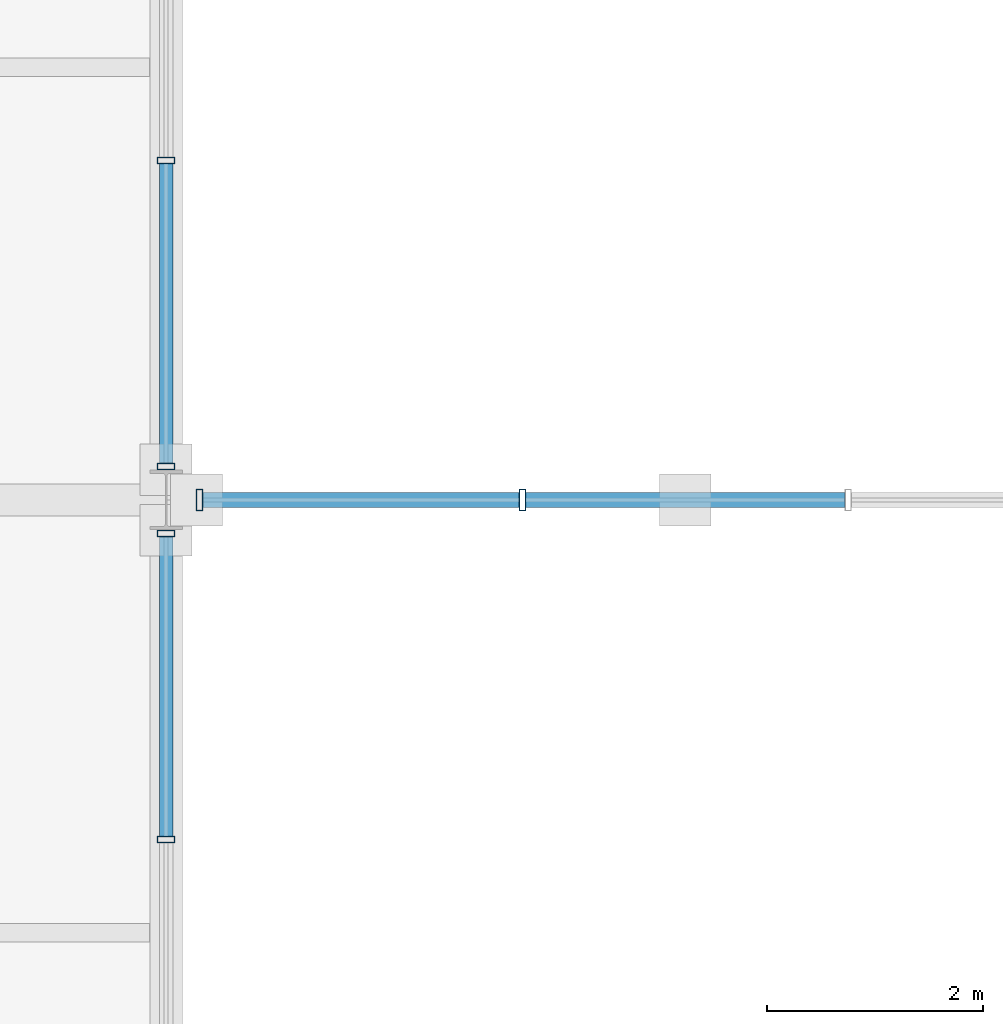
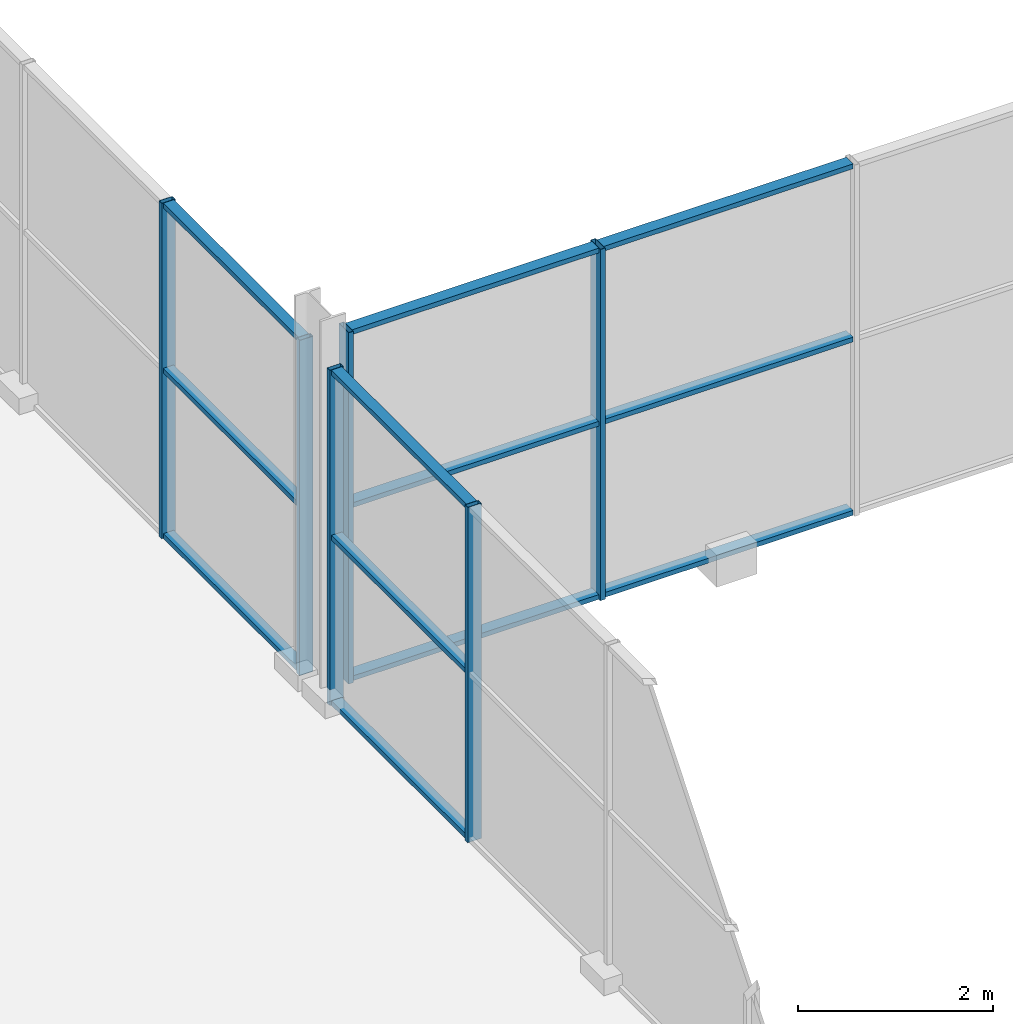
# One storey, part 84 of 159: 18 members, 3 elements without a shape of their own.
"""IFC4 building model written with IfcOpenShell, lengths in metres."""

from ifc_helpers import new_model, si_unit, direction, frame, origin, origin_2d, place, context, subcontext, project, spatial, hollow_rectangle, extrude, material, material_profile, profile_set, type_object, element, aggregate, save


model = new_model("IFC4")

# Units and contexts
model_context = context("Model", 3, precision=1e-05, world=origin(), true_north=direction((0.0, 1.0)))
body_context = subcontext(model_context, "Body", "Model", "MODEL_VIEW")
ifc_project = project(units=[si_unit("LENGTHUNIT", "METRE"), si_unit("AREAUNIT", "SQUARE_METRE"), si_unit("VOLUMEUNIT", "CUBIC_METRE"), si_unit("PLANEANGLEUNIT", "RADIAN"), si_unit("MASSUNIT", "GRAM", prefix="KILO")], contexts=[model_context])

# Site, building, storey
site_placement = place(None, origin())
site = spatial("IfcSite", under=ifc_project, at=site_placement, CompositionType="ELEMENT")
building_placement = place(site_placement, origin())
building = spatial("IfcBuilding", under=site, at=building_placement, Name="Merenkruunu Market Hall", CompositionType="ELEMENT")
storey_placement = place(building_placement, frame((0.0, 0.0, 5.39990234375)))
storey = spatial("IfcBuildingStorey", under=building, at=storey_placement, Name="L01", CompositionType="ELEMENT", Elevation=5.39990234375)

# Curtain wall, members
ifc_material = material(Name="Powder-coated aluminium", Category="aluminium")
curtain_wall_type_1 = type_object("IfcCurtainWallType", Name="Glazed Curtain Wall CW15", PredefinedType="USERDEFINED", material=ifc_material)
curtain_wall_1_placement = place(storey_placement, origin())
curtain_wall_1 = element("IfcCurtainWall", 1, at=curtain_wall_1_placement, inside=storey, type_object=curtain_wall_type_1, Name="CW-L01-CWM01-136", ObjectType="GLAZED_FACADE", PredefinedType="USERDEFINED")
ifc_material_profile_1 = material_profile(ifc_material, hollow_rectangle(XDim=0.06005859375, YDim=0.159912109375, WallThickness=0.00390625, at=origin_2d()), Name="ALU 60x160x4")
ifc_profile_set_1 = profile_set([ifc_material_profile_1], Name="Powder-coated aluminium")
member_type_1 = type_object("IfcMemberType", Name="Curtain Wall Mullion CWM01", PredefinedType="MULLION", material=ifc_profile_set_1)
member_1_placement = place(storey_placement, frame((57.60009765625, 96.4599609375, 0.0), z_axis=(0.0, 0.0, 1.0), x_axis=(0.0, 1.0, 0.0)))
member_1 = element("IfcMember", 2, at=member_1_placement, type_object=member_type_1, Name="CW15 mullion 4", PredefinedType="MULLION", context=body_context, shape_type="SweptSolid", body=[
    extrude(hollow_rectangle(XDim=0.06005859375, YDim=0.159912109375, WallThickness=0.00390625, at=origin_2d()), origin(), (0.0, 0.0, 1.0), 4.2001953125),
])
member_2_placement = place(storey_placement, frame((57.60009765625, 99.2900390625, 0.0), z_axis=(0.0, 0.0, 1.0), x_axis=(0.0, 1.0, 0.0)))
member_2 = element("IfcMember", 3, at=member_2_placement, type_object=member_type_1, Name="CW15 mullion 5", PredefinedType="MULLION", context=body_context, shape_type="SweptSolid", body=[
    extrude(hollow_rectangle(XDim=0.06005859375, YDim=0.159912109375, WallThickness=0.00390625, at=origin_2d()), origin(), (0.0, 0.0, 1.0), 4.2001953125),
])

curtain_wall_type_2 = type_object("IfcCurtainWallType", Name="Glazed Curtain Wall CW05", PredefinedType="USERDEFINED", material=ifc_material)
curtain_wall_2_placement = place(storey_placement, origin())
curtain_wall_2 = element("IfcCurtainWall", 4, at=curtain_wall_2_placement, inside=storey, type_object=curtain_wall_type_2, Name="CW-L01-CWM01-137", ObjectType="GLAZED_FACADE", PredefinedType="USERDEFINED")
member_3_placement = place(storey_placement, frame((57.60009765625, 102.739990234375, 0.0), z_axis=(0.0, 0.0, 1.0), x_axis=(0.0, -1.0, 0.0)))
member_3 = element("IfcMember", 5, at=member_3_placement, type_object=member_type_1, Name="CW05 mullion 4", PredefinedType="MULLION", context=body_context, shape_type="SweptSolid", body=[
    extrude(hollow_rectangle(XDim=0.06005859375, YDim=0.159912109375, WallThickness=0.00390625, at=origin_2d()), origin(), (0.0, 0.0, 1.0), 4.2001953125),
])
member_4_placement = place(storey_placement, frame((57.60009765625, 99.909912109375, 0.0), z_axis=(0.0, 0.0, 1.0), x_axis=(0.0, -1.0, 0.0)))
member_4 = element("IfcMember", 6, at=member_4_placement, type_object=member_type_1, Name="CW05 mullion 5", PredefinedType="MULLION", context=body_context, shape_type="SweptSolid", body=[
    extrude(hollow_rectangle(XDim=0.06005859375, YDim=0.159912109375, WallThickness=0.00390625, at=origin_2d()), origin(), (0.0, 0.0, 1.0), 4.2001953125),
])

curtain_wall_type_3 = type_object("IfcCurtainWallType", Name="Glazed Curtain Wall CW03", PredefinedType="USERDEFINED", material=ifc_material)
curtain_wall_3_placement = place(storey_placement, origin())
curtain_wall_3 = element("IfcCurtainWall", 7, at=curtain_wall_3_placement, inside=storey, type_object=curtain_wall_type_3, Name="CW-L01-CWM03-143", ObjectType="GLAZED_FACADE", PredefinedType="USERDEFINED")
ifc_material_profile_2 = material_profile(ifc_material, hollow_rectangle(XDim=0.06005859375, YDim=0.199951171875, WallThickness=0.0048828125, at=origin_2d()), Name="ALU 60x200x5")
ifc_profile_set_2 = profile_set([ifc_material_profile_2], Name="Powder-coated aluminium")
member_type_2 = type_object("IfcMemberType", Name="Curtain Wall Mullion CWM03", PredefinedType="MULLION", material=ifc_profile_set_2)
member_5_placement = place(storey_placement, frame((57.909912109375, 99.60009765625, 0.0), z_axis=(0.0, 0.0, 1.0), x_axis=(1.0, 0.0, 0.0)))
member_5 = element("IfcMember", 8, at=member_5_placement, type_object=member_type_2, Name="CW03 mullion 1", PredefinedType="MULLION", context=body_context, shape_type="SweptSolid", body=[
    extrude(hollow_rectangle(XDim=0.06005859375, YDim=0.199951171875, WallThickness=0.0048828125, at=origin_2d()), origin(), (0.0, 0.0, 1.0), 4.400146484375),
])
member_6_placement = place(storey_placement, frame((60.893310546875, 99.60009765625, 0.0), z_axis=(0.0, 0.0, 1.0), x_axis=(1.0, 0.0, 0.0)))
member_6 = element("IfcMember", 9, at=member_6_placement, type_object=member_type_2, Name="CW03 mullion 2", PredefinedType="MULLION", context=body_context, shape_type="SweptSolid", body=[
    extrude(hollow_rectangle(XDim=0.06005859375, YDim=0.199951171875, WallThickness=0.0048828125, at=origin_2d()), origin(), (0.0, 0.0, 1.0), 4.400146484375),
])

# Member
ifc_material_profile_3 = material_profile(ifc_material, hollow_rectangle(XDim=0.06005859375, YDim=0.125, WallThickness=0.00390625, at=origin_2d()), Name="ALU 60x125x4")
ifc_profile_set_3 = profile_set([ifc_material_profile_3], Name="Powder-coated aluminium")
member_type_3 = type_object("IfcMemberType", Name="Curtain Wall Transom CWT01", PredefinedType="USERDEFINED", material=ifc_profile_set_3)
member_7_placement = place(storey_placement, frame((57.60009765625, 96.489990234375, 0.030029296875), z_axis=(0.0, 1.0, 0.0), x_axis=(0.0, 0.0, 1.0)))
member_7 = element("IfcMember", 10, at=member_7_placement, type_object=member_type_3, Name="CW15 transom 4.1", ObjectType="TRANSOM", PredefinedType="USERDEFINED", context=body_context, shape_type="SweptSolid", body=[
    extrude(hollow_rectangle(XDim=0.06005859375, YDim=0.125, WallThickness=0.00390625, at=origin_2d()), origin(), (0.0, 0.0, 1.0), 2.77001953125),
])

member_8_placement = place(storey_placement, frame((57.60009765625, 96.489990234375, 2.10009765625), z_axis=(0.0, 1.0, 0.0), x_axis=(0.0, 0.0, 1.0)))
member_8 = element("IfcMember", 11, at=member_8_placement, type_object=member_type_3, Name="CW15 transom 4.2", ObjectType="TRANSOM", PredefinedType="USERDEFINED", context=body_context, shape_type="SweptSolid", body=[
    extrude(hollow_rectangle(XDim=0.06005859375, YDim=0.125, WallThickness=0.00390625, at=origin_2d()), origin(), (0.0, 0.0, 1.0), 2.77001953125),
])

member_9_placement = place(storey_placement, frame((57.60009765625, 96.489990234375, 4.170166015625), z_axis=(0.0, 1.0, 0.0), x_axis=(0.0, 0.0, 1.0)))
member_9 = element("IfcMember", 12, at=member_9_placement, type_object=member_type_3, Name="CW15 transom 4.3", ObjectType="TRANSOM", PredefinedType="USERDEFINED", context=body_context, shape_type="SweptSolid", body=[
    extrude(hollow_rectangle(XDim=0.06005859375, YDim=0.125, WallThickness=0.00390625, at=origin_2d()), origin(), (0.0, 0.0, 1.0), 2.77001953125),
])

aggregate(curtain_wall_1, [member_1, member_2, member_7, member_8, member_9])

member_10_placement = place(storey_placement, frame((57.60009765625, 102.7099609375, 0.030029296875), z_axis=(0.0, -1.0, 0.0), x_axis=(0.0, 0.0, 1.0)))
member_10 = element("IfcMember", 13, at=member_10_placement, type_object=member_type_3, Name="CW05 transom 4.1", ObjectType="TRANSOM", PredefinedType="USERDEFINED", context=body_context, shape_type="SweptSolid", body=[
    extrude(hollow_rectangle(XDim=0.06005859375, YDim=0.125, WallThickness=0.00390625, at=origin_2d()), origin(), (0.0, 0.0, 1.0), 2.77001953125),
])

member_11_placement = place(storey_placement, frame((57.60009765625, 102.7099609375, 2.10009765625), z_axis=(0.0, -1.0, 0.0), x_axis=(0.0, 0.0, 1.0)))
member_11 = element("IfcMember", 14, at=member_11_placement, type_object=member_type_3, Name="CW05 transom 4.2", ObjectType="TRANSOM", PredefinedType="USERDEFINED", context=body_context, shape_type="SweptSolid", body=[
    extrude(hollow_rectangle(XDim=0.06005859375, YDim=0.125, WallThickness=0.00390625, at=origin_2d()), origin(), (0.0, 0.0, 1.0), 2.77001953125),
])

member_12_placement = place(storey_placement, frame((57.60009765625, 102.7099609375, 4.170166015625), z_axis=(0.0, -1.0, 0.0), x_axis=(0.0, 0.0, 1.0)))
member_12 = element("IfcMember", 15, at=member_12_placement, type_object=member_type_3, Name="CW05 transom 4.3", ObjectType="TRANSOM", PredefinedType="USERDEFINED", context=body_context, shape_type="SweptSolid", body=[
    extrude(hollow_rectangle(XDim=0.06005859375, YDim=0.125, WallThickness=0.00390625, at=origin_2d()), origin(), (0.0, 0.0, 1.0), 2.77001953125),
])

aggregate(curtain_wall_2, [member_3, member_4, member_10, member_11, member_12])

ifc_material_profile_4 = material_profile(ifc_material, hollow_rectangle(XDim=0.06005859375, YDim=0.139892578125, WallThickness=0.00390625, at=origin_2d()), Name="ALU 60x140x4")
ifc_profile_set_4 = profile_set([ifc_material_profile_4], Name="Powder-coated aluminium")
member_type_4 = type_object("IfcMemberType", Name="Curtain Wall Transom CWT02", PredefinedType="USERDEFINED", material=ifc_profile_set_4)
member_13_placement = place(storey_placement, frame((57.93994140625, 99.60009765625, 0.030029296875), z_axis=(1.0, 0.0, 0.0), x_axis=(0.0, 0.0, 1.0)))
member_13 = element("IfcMember", 16, at=member_13_placement, type_object=member_type_4, Name="CW03 transom 1.1", ObjectType="TRANSOM", PredefinedType="USERDEFINED", context=body_context, shape_type="SweptSolid", body=[
    extrude(hollow_rectangle(XDim=0.06005859375, YDim=0.139892578125, WallThickness=0.00390625, at=origin_2d()), origin(), (0.0, 0.0, 1.0), 2.92333984375),
])

member_14_placement = place(storey_placement, frame((57.93994140625, 99.60009765625, 2.2001953125), z_axis=(1.0, 0.0, 0.0), x_axis=(0.0, 0.0, 1.0)))
member_14 = element("IfcMember", 17, at=member_14_placement, type_object=member_type_4, Name="CW03 transom 1.2", ObjectType="TRANSOM", PredefinedType="USERDEFINED", context=body_context, shape_type="SweptSolid", body=[
    extrude(hollow_rectangle(XDim=0.06005859375, YDim=0.139892578125, WallThickness=0.00390625, at=origin_2d()), origin(), (0.0, 0.0, 1.0), 2.92333984375),
])

member_15_placement = place(storey_placement, frame((57.93994140625, 99.60009765625, 4.3701171875), z_axis=(1.0, 0.0, 0.0), x_axis=(0.0, 0.0, 1.0)))
member_15 = element("IfcMember", 18, at=member_15_placement, type_object=member_type_4, Name="CW03 transom 1.3", ObjectType="TRANSOM", PredefinedType="USERDEFINED", context=body_context, shape_type="SweptSolid", body=[
    extrude(hollow_rectangle(XDim=0.06005859375, YDim=0.139892578125, WallThickness=0.00390625, at=origin_2d()), origin(), (0.0, 0.0, 1.0), 2.92333984375),
])

member_16_placement = place(storey_placement, frame((60.92333984375, 99.60009765625, 0.030029296875), z_axis=(1.0, 0.0, 0.0), x_axis=(0.0, 0.0, 1.0)))
member_16 = element("IfcMember", 19, at=member_16_placement, type_object=member_type_4, Name="CW03 transom 2.1", ObjectType="TRANSOM", PredefinedType="USERDEFINED", context=body_context, shape_type="SweptSolid", body=[
    extrude(hollow_rectangle(XDim=0.06005859375, YDim=0.139892578125, WallThickness=0.00390625, at=origin_2d()), origin(), (0.0, 0.0, 1.0), 2.953369140625),
])

member_17_placement = place(storey_placement, frame((60.92333984375, 99.60009765625, 2.2001953125), z_axis=(1.0, 0.0, 0.0), x_axis=(0.0, 0.0, 1.0)))
member_17 = element("IfcMember", 20, at=member_17_placement, type_object=member_type_4, Name="CW03 transom 2.2", ObjectType="TRANSOM", PredefinedType="USERDEFINED", context=body_context, shape_type="SweptSolid", body=[
    extrude(hollow_rectangle(XDim=0.06005859375, YDim=0.139892578125, WallThickness=0.00390625, at=origin_2d()), origin(), (0.0, 0.0, 1.0), 2.953369140625),
])

member_18_placement = place(storey_placement, frame((60.92333984375, 99.60009765625, 4.3701171875), z_axis=(1.0, 0.0, 0.0), x_axis=(0.0, 0.0, 1.0)))
member_18 = element("IfcMember", 21, at=member_18_placement, type_object=member_type_4, Name="CW03 transom 2.3", ObjectType="TRANSOM", PredefinedType="USERDEFINED", context=body_context, shape_type="SweptSolid", body=[
    extrude(hollow_rectangle(XDim=0.06005859375, YDim=0.139892578125, WallThickness=0.00390625, at=origin_2d()), origin(), (0.0, 0.0, 1.0), 2.953369140625),
])

aggregate(curtain_wall_3, [member_5, member_6, member_13, member_14, member_15, member_16, member_17, member_18])

save(model, "model.ifc")
